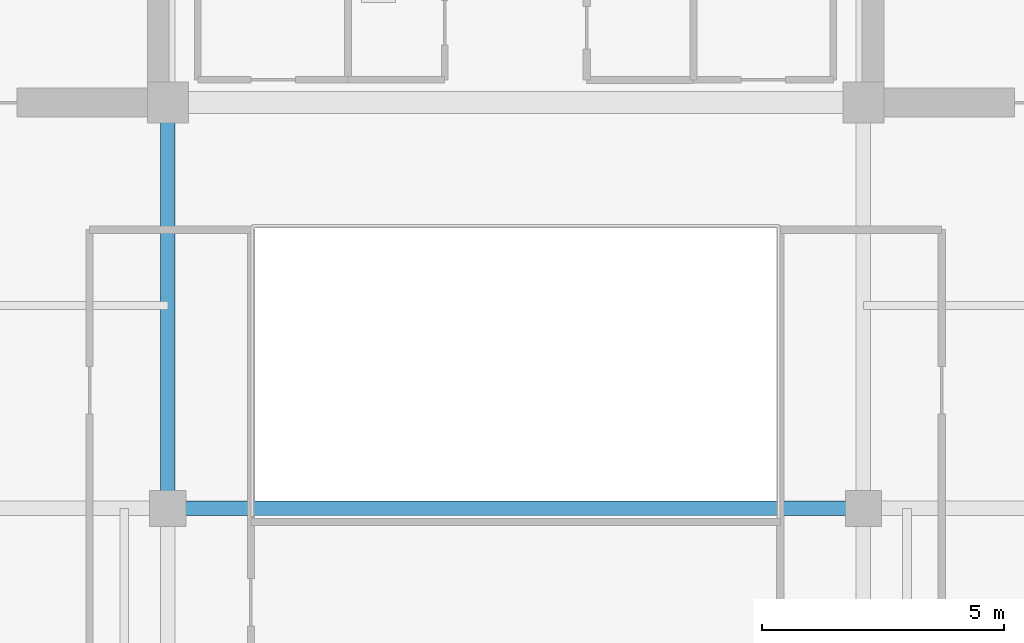
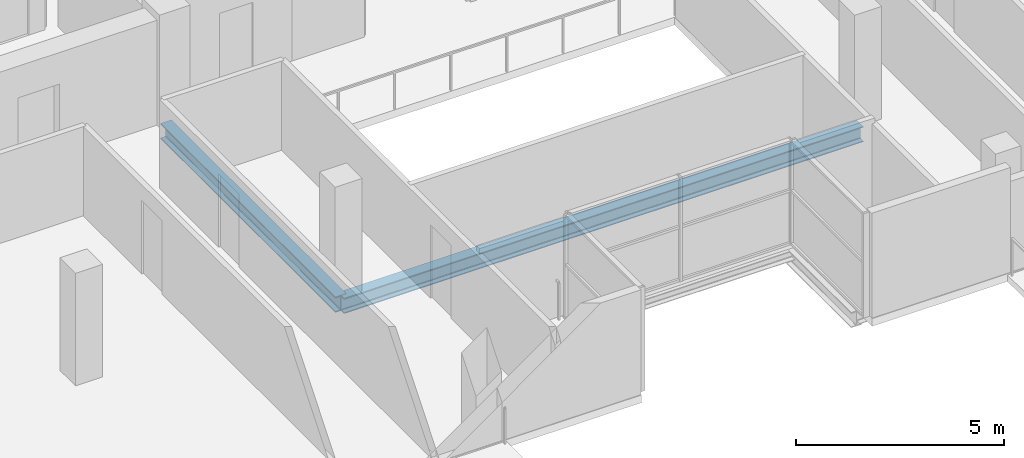
# One storey, part 5 of 22: 2 beams.
"""IFC4 building model written with IfcOpenShell, lengths in metres."""

from ifc_helpers import new_model, si_unit, direction, frame, origin, origin_2d, place, context, subcontext, project, spatial, i_section, extrude, material, material_profile, profile_set, type_object, element, save


model = new_model("IFC4")

# Units and contexts
model_context = context("Model", 3, precision=1e-05, world=origin(), true_north=direction((0.0, 1.0)))
body_context = subcontext(model_context, "Body", "Model", "MODEL_VIEW")
ifc_project = project(units=[si_unit("LENGTHUNIT", "METRE"), si_unit("AREAUNIT", "SQUARE_METRE"), si_unit("VOLUMEUNIT", "CUBIC_METRE"), si_unit("PLANEANGLEUNIT", "RADIAN"), si_unit("MASSUNIT", "GRAM", prefix="KILO")], contexts=[model_context])

# Site, building, storey
site_placement = place(None, origin())
site = spatial("IfcSite", under=ifc_project, at=site_placement, CompositionType="ELEMENT")
building_placement = place(site_placement, origin())
building = spatial("IfcBuilding", under=site, at=building_placement, Name="Zarnakvel Exchange Tower", CompositionType="ELEMENT")
storey_placement = place(building_placement, frame((0.0, 0.0, 228.699951171875)))
storey = spatial("IfcBuildingStorey", under=building, at=storey_placement, Name="L64", CompositionType="ELEMENT", Elevation=228.699951171875)

# Beams
ifc_material = material(Name="Steel S355", Category="steel")
ifc_material_profile = material_profile(ifc_material, i_section(OverallWidth=0.300048828125, OverallDepth=0.449951171875, WebThickness=0.013916015625, FlangeThickness=0.02587890625, FilletRadius=0.027099609375, at=origin_2d()))
ifc_profile_set = profile_set([ifc_material_profile], Name="Steel S355")
beam_type = type_object("IfcBeamType", Name="G-07", PredefinedType="BEAM", material=ifc_profile_set)
beam_1_placement = place(storey_placement, frame((-7.199951171875, -9.60009765625, -0.449951171875), z_axis=(1.0, 0.0, 0.0), x_axis=(0.0, 1.0, 0.0)))
element("IfcBeam", 1, at=beam_1_placement, inside=storey, type_object=beam_type, Name="L64 Tower E-W Frame Beam", PredefinedType="BEAM", context=body_context, shape_type="SweptSolid", body=[
    extrude(i_section(OverallWidth=0.300048828125, OverallDepth=0.449951171875, WebThickness=0.013916015625, FlangeThickness=0.02587890625, FilletRadius=0.027099609375, at=origin_2d()), origin(), (0.0, 0.0, 1.0), 14.39990234375),
])
beam_2_placement = place(storey_placement, frame((-7.199951171875, -9.60009765625, -0.449951171875), z_axis=(0.0, 1.0, 0.0), x_axis=(-1.0, 0.0, 0.0)))
element("IfcBeam", 2, at=beam_2_placement, inside=storey, type_object=beam_type, Name="L64 Tower N-S Frame Beam", PredefinedType="BEAM", context=body_context, shape_type="SweptSolid", body=[
    extrude(i_section(OverallWidth=0.300048828125, OverallDepth=0.449951171875, WebThickness=0.013916015625, FlangeThickness=0.02587890625, FilletRadius=0.027099609375, at=origin_2d()), origin(), (0.0, 0.0, 1.0), 8.400146484375),
])

save(model, "model.ifc")
